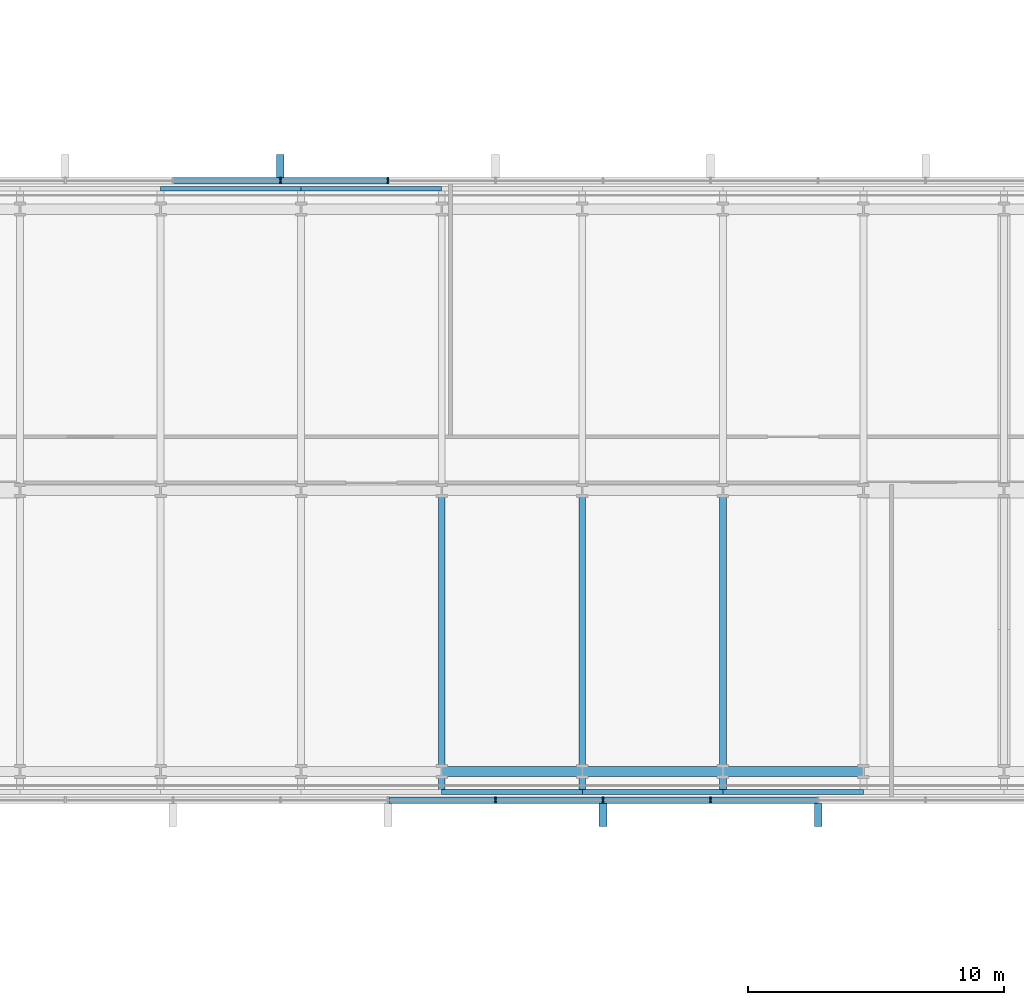
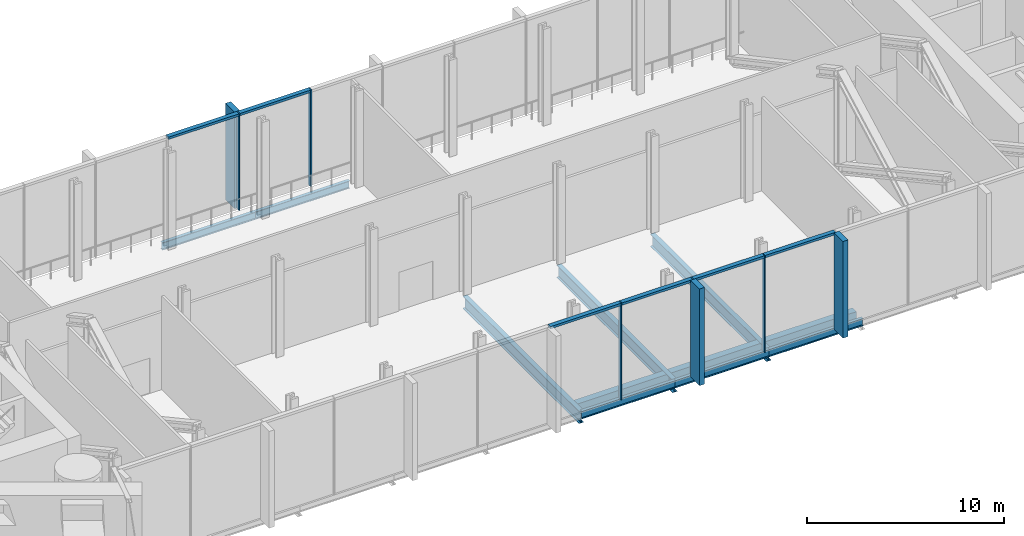
# One storey, part 7 of 21: 14 members, 11 beams, 2 elements without a shape of their own.
"""IFC4 building model written with IfcOpenShell, lengths in metres."""

from ifc_helpers import new_model, si_unit, direction, frame, origin, origin_2d, place, context, subcontext, project, spatial, rectangle, hollow_rectangle, i_section, extrude, material, material_profile, profile_set, type_object, element, aggregate, save


model = new_model("IFC4")

# Units and contexts
model_context = context("Model", 3, precision=1e-05, world=origin(), true_north=direction((0.0, 1.0)))
body_context = subcontext(model_context, "Body", "Model", "MODEL_VIEW")
ifc_project = project(units=[si_unit("LENGTHUNIT", "METRE"), si_unit("AREAUNIT", "SQUARE_METRE"), si_unit("VOLUMEUNIT", "CUBIC_METRE"), si_unit("PLANEANGLEUNIT", "RADIAN"), si_unit("MASSUNIT", "GRAM", prefix="KILO")], contexts=[model_context])

# Site, building, storey
site_placement = place(None, origin())
site = spatial("IfcSite", under=ifc_project, at=site_placement, CompositionType="ELEMENT")
building_placement = place(site_placement, origin())
building = spatial("IfcBuilding", under=site, at=building_placement, Name="Lancet Gate Hotel", CompositionType="ELEMENT")
storey_placement = place(building_placement, frame((0.0, 0.0, 257.300048828125)))
storey = spatial("IfcBuildingStorey", under=building, at=storey_placement, Name="L68", CompositionType="ELEMENT", Elevation=257.300048828125)

# Curtain wall, members
ifc_material_1 = material(Name="Aluminium curtain wall", Category="aluminium")
curtain_wall_type = type_object("IfcCurtainWallType", Name="Sky deck full-height glazing", PredefinedType="USERDEFINED", material=ifc_material_1)
curtain_wall_1_placement = place(storey_placement, origin())
curtain_wall_1 = element("IfcCurtainWall", 1, at=curtain_wall_1_placement, inside=storey, type_object=curtain_wall_type, Name="Bridge block L68 curtain wall S", ObjectType="UNITISED CURTAIN WALL", PredefinedType="USERDEFINED")
ifc_material_2 = material(Name="Aluminium mullion", Category="aluminium")
ifc_material_profile_1 = material_profile(ifc_material_2, rectangle(XDim=0.06494140625, YDim=0.25, at=origin_2d()), Name="MULLION 65x250")
ifc_profile_set_1 = profile_set([ifc_material_profile_1], Name="Aluminium mullion")
member_type_1 = type_object("IfcMemberType", Name="Aluminium mullion 65x250", PredefinedType="MULLION", material=ifc_profile_set_1)
member_1_placement = place(storey_placement, frame((2.103759765625, -12.1201171875, 0.0), z_axis=(0.0, 0.0, 1.0), x_axis=(1.0, 0.0, 0.0)))
member_1 = element("IfcMember", 2, at=member_1_placement, type_object=member_type_1, Name="Bridge block L68 curtain wall S mullion 8", PredefinedType="MULLION", context=body_context, shape_type="SweptSolid", body=[
    extrude(rectangle(XDim=0.06494140625, YDim=0.25, at=origin_2d()), origin(), (0.0, 0.0, 1.0), 6.0),
])
member_2_placement = place(storey_placement, frame((6.3115234375, -12.1201171875, 0.0), z_axis=(0.0, 0.0, 1.0), x_axis=(1.0, 0.0, 0.0)))
member_2 = element("IfcMember", 3, at=member_2_placement, type_object=member_type_1, Name="Bridge block L68 curtain wall S mullion 9", PredefinedType="MULLION", context=body_context, shape_type="SweptSolid", body=[
    extrude(rectangle(XDim=0.06494140625, YDim=0.25, at=origin_2d()), origin(), (0.0, 0.0, 1.0), 6.0),
])
member_3_placement = place(storey_placement, frame((10.519287109375, -12.1201171875, 0.0), z_axis=(0.0, 0.0, 1.0), x_axis=(1.0, 0.0, 0.0)))
member_3 = element("IfcMember", 4, at=member_3_placement, type_object=member_type_1, Name="Bridge block L68 curtain wall S mullion 10", PredefinedType="MULLION", context=body_context, shape_type="SweptSolid", body=[
    extrude(rectangle(XDim=0.06494140625, YDim=0.25, at=origin_2d()), origin(), (0.0, 0.0, 1.0), 6.0),
])

curtain_wall_2_placement = place(storey_placement, origin())
curtain_wall_2 = element("IfcCurtainWall", 5, at=curtain_wall_2_placement, inside=storey, type_object=curtain_wall_type, Name="Bridge block L68 curtain wall N", ObjectType="UNITISED CURTAIN WALL", PredefinedType="USERDEFINED")
member_4_placement = place(storey_placement, frame((-2.103759765625, 12.1201171875, 0.0), z_axis=(0.0, 0.0, 1.0), x_axis=(-1.0, 0.0, 0.0)))
member_4 = element("IfcMember", 6, at=member_4_placement, type_object=member_type_1, Name="Bridge block L68 curtain wall N mullion 8", PredefinedType="MULLION", context=body_context, shape_type="SweptSolid", body=[
    extrude(rectangle(XDim=0.06494140625, YDim=0.25, at=origin_2d()), origin(), (0.0, 0.0, 1.0), 6.0),
])
member_5_placement = place(storey_placement, frame((-6.3115234375, 12.1201171875, 0.0), z_axis=(0.0, 0.0, 1.0), x_axis=(-1.0, 0.0, 0.0)))
member_5 = element("IfcMember", 7, at=member_5_placement, type_object=member_type_1, Name="Bridge block L68 curtain wall N mullion 9", PredefinedType="MULLION", context=body_context, shape_type="SweptSolid", body=[
    extrude(rectangle(XDim=0.06494140625, YDim=0.25, at=origin_2d()), origin(), (0.0, 0.0, 1.0), 6.0),
])

# Member
ifc_material_3 = material(Name="Aluminium transom", Category="aluminium")
ifc_material_profile_2 = material_profile(ifc_material_3, rectangle(XDim=0.25, YDim=0.14990234375, at=origin_2d()), Name="TRANSOM 250x150")
ifc_profile_set_2 = profile_set([ifc_material_profile_2], Name="Aluminium transom")
member_type_2 = type_object("IfcMemberType", Name="Aluminium transom 250x150", PredefinedType="USERDEFINED", material=ifc_profile_set_2)
member_6_placement = place(storey_placement, frame((-2.0712890625, -12.1201171875, 5.925048828125), z_axis=(1.0, 0.0, 0.0), x_axis=(0.0, 1.0, 0.0)))
member_6 = element("IfcMember", 8, at=member_6_placement, type_object=member_type_2, Name="Bridge block L68 curtain wall S transom 7", ObjectType="TRANSOM", PredefinedType="USERDEFINED", context=body_context, shape_type="SweptSolid", body=[
    extrude(rectangle(XDim=0.25, YDim=0.14990234375, at=origin_2d()), origin(), (0.0, 0.0, 1.0), 4.142578125),
])

member_7_placement = place(storey_placement, frame((2.13623046875, -12.1201171875, 5.925048828125), z_axis=(1.0, 0.0, 0.0), x_axis=(0.0, 1.0, 0.0)))
member_7 = element("IfcMember", 9, at=member_7_placement, type_object=member_type_2, Name="Bridge block L68 curtain wall S transom 8", ObjectType="TRANSOM", PredefinedType="USERDEFINED", context=body_context, shape_type="SweptSolid", body=[
    extrude(rectangle(XDim=0.25, YDim=0.14990234375, at=origin_2d()), origin(), (0.0, 0.0, 1.0), 4.142822265625),
])

member_8_placement = place(storey_placement, frame((6.343994140625, -12.1201171875, 5.925048828125), z_axis=(1.0, 0.0, 0.0), x_axis=(0.0, 1.0, 0.0)))
member_8 = element("IfcMember", 10, at=member_8_placement, type_object=member_type_2, Name="Bridge block L68 curtain wall S transom 9", ObjectType="TRANSOM", PredefinedType="USERDEFINED", context=body_context, shape_type="SweptSolid", body=[
    extrude(rectangle(XDim=0.25, YDim=0.14990234375, at=origin_2d()), origin(), (0.0, 0.0, 1.0), 4.142822265625),
])

member_9_placement = place(storey_placement, frame((10.5517578125, -12.1201171875, 5.925048828125), z_axis=(1.0, 0.0, 0.0), x_axis=(0.0, 1.0, 0.0)))
member_9 = element("IfcMember", 11, at=member_9_placement, type_object=member_type_2, Name="Bridge block L68 curtain wall S transom 10", ObjectType="TRANSOM", PredefinedType="USERDEFINED", context=body_context, shape_type="SweptSolid", body=[
    extrude(rectangle(XDim=0.25, YDim=0.14990234375, at=origin_2d()), origin(), (0.0, 0.0, 1.0), 4.142578125),
])

member_10_placement = place(storey_placement, frame((-2.13623046875, 12.1201171875, 5.925048828125), z_axis=(-1.0, 0.0, 0.0), x_axis=(0.0, -1.0, 0.0)))
member_10 = element("IfcMember", 12, at=member_10_placement, type_object=member_type_2, Name="Bridge block L68 curtain wall N transom 8", ObjectType="TRANSOM", PredefinedType="USERDEFINED", context=body_context, shape_type="SweptSolid", body=[
    extrude(rectangle(XDim=0.25, YDim=0.14990234375, at=origin_2d()), origin(), (0.0, 0.0, 1.0), 4.142822265625),
])

member_11_placement = place(storey_placement, frame((-6.343994140625, 12.1201171875, 5.925048828125), z_axis=(-1.0, 0.0, 0.0), x_axis=(0.0, -1.0, 0.0)))
member_11 = element("IfcMember", 13, at=member_11_placement, type_object=member_type_2, Name="Bridge block L68 curtain wall N transom 9", ObjectType="TRANSOM", PredefinedType="USERDEFINED", context=body_context, shape_type="SweptSolid", body=[
    extrude(rectangle(XDim=0.25, YDim=0.14990234375, at=origin_2d()), origin(), (0.0, 0.0, 1.0), 4.142822265625),
])

# Beams
ifc_material_4 = material(Name="Steel S355", Category="steel")
ifc_material_profile_3 = material_profile(ifc_material_4, i_section(OverallWidth=0.26806640625, OverallDepth=0.769775390625, WebThickness=0.015625, FlangeThickness=0.025390625, FilletRadius=0.0166015625, at=origin_2d()), Name="UKB 762x267x197")
ifc_profile_set_3 = profile_set([ifc_material_profile_3], Name="Steel S355")
beam_type_1 = type_object("IfcBeamType", Name="Block assembly floor beam UKB 762x267x197", PredefinedType="JOIST", material=ifc_profile_set_3)
for number, where, z_axis, x_axis, name in (
    (14, (0.0, -11.800048828125, -0.5849609375), (0.0, 1.0, 0.0), (-1.0, 0.0, 0.0), "Block beam x5 S L68"),
    (15, (5.5, -11.800048828125, -0.5849609375), (0.0, 1.0, 0.0), (-1.0, 0.0, 0.0), "Block beam x6 S L68"),
    (16, (11.0, -11.800048828125, -0.5849609375), (0.0, 1.0, 0.0), (-1.0, 0.0, 0.0), "Block beam x7 S L68"),
):
    element("IfcBeam", number, at=place(storey_placement, frame(where, z_axis=z_axis, x_axis=x_axis)), inside=storey, type_object=beam_type_1, Name=name, PredefinedType="JOIST", context=body_context, shape_type="SweptSolid", body=[
        extrude(i_section(OverallWidth=0.26806640625, OverallDepth=0.769775390625, WebThickness=0.015625, FlangeThickness=0.025390625, FilletRadius=0.0166015625, at=origin_2d()), origin(), (0.0, 0.0, 1.0), 11.800048828125),
    ])
ifc_material_5 = material(Name="Steel S355", Category="steel")
ifc_material_profile_4 = material_profile(ifc_material_5, i_section(OverallWidth=0.19140625, OverallDepth=0.4599609375, WebThickness=0.010009765625, FlangeThickness=0.01611328125, FilletRadius=0.01025390625, at=origin_2d()), Name="UKB 457x191x82")
ifc_profile_set_4 = profile_set([ifc_material_profile_4], Name="Steel S355")
beam_type_2 = type_object("IfcBeamType", Name="Block edge beam UKB 457x191x82", PredefinedType="SPANDREL", material=ifc_profile_set_4)
for number, where, z_axis, x_axis, name in (
    (17, (-11.0, 11.800048828125, -0.429931640625), (1.0, 0.0, 0.0), (0.0, 1.0, 0.0), "Block edge beam N 3-4 L68"),
    (18, (-5.5, 11.800048828125, -0.429931640625), (1.0, 0.0, 0.0), (0.0, 1.0, 0.0), "Block edge beam N 4-5 L68"),
    (19, (0.0, -11.800048828125, -0.429931640625), (1.0, 0.0, 0.0), (0.0, 1.0, 0.0), "Block edge beam S 5-6 L68"),
    (20, (5.5, -11.800048828125, -0.429931640625), (1.0, 0.0, 0.0), (0.0, 1.0, 0.0), "Block edge beam S 6-7 L68"),
    (21, (11.0, -11.800048828125, -0.429931640625), (1.0, 0.0, 0.0), (0.0, 1.0, 0.0), "Block edge beam S 7-8 L68"),
):
    element("IfcBeam", number, at=place(storey_placement, frame(where, z_axis=z_axis, x_axis=x_axis)), inside=storey, type_object=beam_type_2, Name=name, PredefinedType="SPANDREL", context=body_context, shape_type="SweptSolid", body=[
        extrude(i_section(OverallWidth=0.19140625, OverallDepth=0.4599609375, WebThickness=0.010009765625, FlangeThickness=0.01611328125, FilletRadius=0.01025390625, at=origin_2d()), origin(), (0.0, 0.0, 1.0), 5.5),
    ])
ifc_material_6 = material(Name="Steel S355", Category="steel")
ifc_material_profile_5 = material_profile(ifc_material_6, hollow_rectangle(XDim=0.39990234375, YDim=0.89990234375, WallThickness=0.0400390625, at=origin_2d()), Name="BOX 900x400x40")
ifc_profile_set_5 = profile_set([ifc_material_profile_5], Name="Steel S355")
beam_type_3 = type_object("IfcBeamType", Name="Block primary beam BOX 900x400x40", PredefinedType="BEAM", material=ifc_profile_set_5)
for number, where, z_axis, x_axis, name in (
    (22, (0.0, -11.0, -0.650146484375), (1.0, 0.0, 0.0), (0.0, 1.0, 0.0), "Block primary beam S 6 L68"),
    (23, (5.5, -11.0, -0.650146484375), (1.0, 0.0, 0.0), (0.0, 1.0, 0.0), "Block primary beam S 7 L68"),
    (24, (11.0, -11.0, -0.650146484375), (1.0, 0.0, 0.0), (0.0, 1.0, 0.0), "Block primary beam S 8 L68"),
):
    element("IfcBeam", number, at=place(storey_placement, frame(where, z_axis=z_axis, x_axis=x_axis)), inside=storey, type_object=beam_type_3, Name=name, PredefinedType="BEAM", context=body_context, shape_type="SweptSolid", body=[
        extrude(hollow_rectangle(XDim=0.39990234375, YDim=0.89990234375, WallThickness=0.0400390625, at=origin_2d()), origin(), (0.0, 0.0, 1.0), 5.5),
    ])

# Member
ifc_material_7 = material(Name="Precast concrete C50/60", Category="concrete")
ifc_material_profile_6 = material_profile(ifc_material_7, rectangle(XDim=0.300048828125, YDim=0.89990234375, at=origin_2d()), Name="FIN 300x900")
ifc_profile_set_6 = profile_set([ifc_material_profile_6], Name="Precast concrete C50/60")
member_type_3 = type_object("IfcMemberType", Name="Exposed concrete fin 300x900", PredefinedType="USERDEFINED", material=ifc_profile_set_6)
member_12_placement = place(storey_placement, frame((6.3115234375, -12.695068359375, 0.0), z_axis=(0.0, 0.0, 1.0), x_axis=(1.0, 0.0, 0.0)))
member_12 = element("IfcMember", 25, at=member_12_placement, type_object=member_type_3, Name="Bridge block L68 curtain wall S fin 9", ObjectType="FIN", PredefinedType="USERDEFINED", context=body_context, shape_type="SweptSolid", body=[
    extrude(rectangle(XDim=0.300048828125, YDim=0.89990234375, at=origin_2d()), origin(), (0.0, 0.0, 1.0), 6.0),
])

member_13_placement = place(storey_placement, frame((14.726806640625, -12.695068359375, 0.0), z_axis=(0.0, 0.0, 1.0), x_axis=(1.0, 0.0, 0.0)))
member_13 = element("IfcMember", 26, at=member_13_placement, type_object=member_type_3, Name="Bridge block L68 curtain wall S fin 11", ObjectType="FIN", PredefinedType="USERDEFINED", context=body_context, shape_type="SweptSolid", body=[
    extrude(rectangle(XDim=0.300048828125, YDim=0.89990234375, at=origin_2d()), origin(), (0.0, 0.0, 1.0), 6.0),
])

aggregate(curtain_wall_1, [member_1, member_2, member_12, member_3, member_13, member_6, member_7, member_8, member_9])

member_14_placement = place(storey_placement, frame((-6.3115234375, 12.695068359375, 0.0), z_axis=(0.0, 0.0, 1.0), x_axis=(-1.0, 0.0, 0.0)))
member_14 = element("IfcMember", 27, at=member_14_placement, type_object=member_type_3, Name="Bridge block L68 curtain wall N fin 9", ObjectType="FIN", PredefinedType="USERDEFINED", context=body_context, shape_type="SweptSolid", body=[
    extrude(rectangle(XDim=0.300048828125, YDim=0.89990234375, at=origin_2d()), origin(), (0.0, 0.0, 1.0), 6.0),
])

aggregate(curtain_wall_2, [member_4, member_5, member_14, member_10, member_11])

save(model, "model.ifc")
